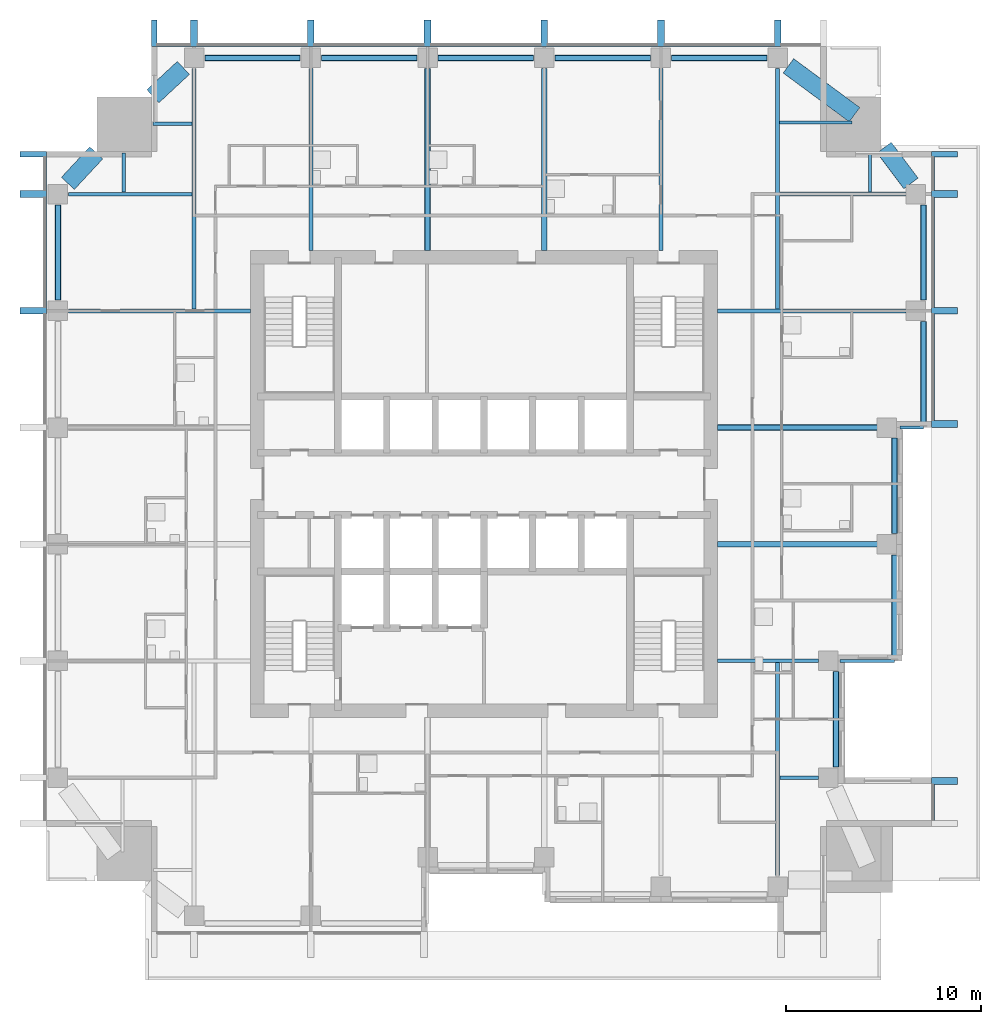
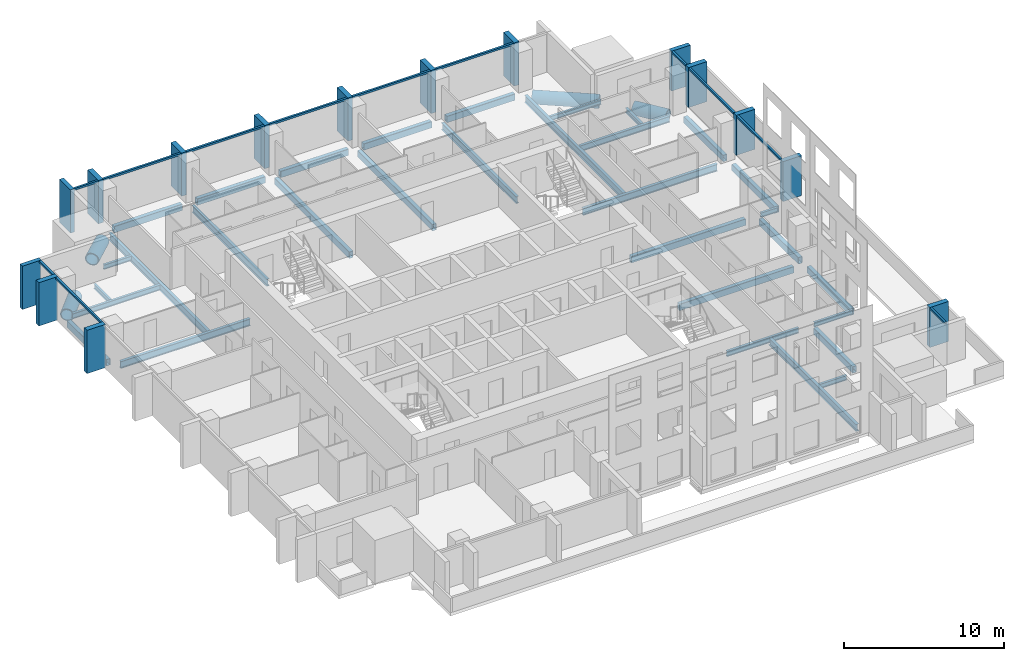
# One storey, part 2 of 14: 36 beams, 27 members, 4 elements without a shape of their own.
"""IFC4 building model written with IfcOpenShell, lengths in metres."""

from ifc_helpers import new_model, si_unit, direction, frame, origin, origin_2d, place, context, subcontext, project, spatial, rectangle, hollow_rectangle, hollow_circle, i_section, extrude, material, material_profile, profile_set, type_object, element, aggregate, save


model = new_model("IFC4")

# Units and contexts
model_context = context("Model", 3, precision=1e-05, world=origin(), true_north=direction((0.0, 1.0)))
body_context = subcontext(model_context, "Body", "Model", "MODEL_VIEW")
ifc_project = project(units=[si_unit("LENGTHUNIT", "METRE"), si_unit("AREAUNIT", "SQUARE_METRE"), si_unit("VOLUMEUNIT", "CUBIC_METRE"), si_unit("PLANEANGLEUNIT", "RADIAN"), si_unit("MASSUNIT", "GRAM", prefix="KILO")], contexts=[model_context])

# Site, building, storey
site_placement = place(None, origin())
site = spatial("IfcSite", under=ifc_project, at=site_placement, CompositionType="ELEMENT")
building_placement = place(site_placement, origin())
building = spatial("IfcBuilding", under=site, at=building_placement, Name="Amberfall Residences", CompositionType="ELEMENT")
storey_placement = place(building_placement, frame((0.0, 0.0, 133.89990234375)))
storey = spatial("IfcBuildingStorey", under=building, at=storey_placement, Name="L35", CompositionType="ELEMENT", Elevation=133.89990234375)

# Beams
ifc_material_1 = material(Name="Steel S355", Category="steel")
ifc_material_profile_1 = material_profile(ifc_material_1, hollow_circle(Radius=0.457275390625, WallThickness=0.06005859375, at=origin_2d()), Name="CHS 914.4x60")
ifc_profile_set_1 = profile_set([ifc_material_profile_1], Name="Steel S355")
beam_type_1 = type_object("IfcBeamType", Name="Belt truss chord BT CHS 914.4x60", PredefinedType="BEAM", material=ifc_profile_set_1)
beam_1_placement = place(storey_placement, frame((93.5498046875, 64.482666015625, -0.70703125), z_axis=(-0.804372963278, 0.594124680474, 0.0), x_axis=(-0.594124680474, -0.804372963278, 0.0)))
element("IfcBeam", 1, at=beam_1_placement, inside=storey, type_object=beam_type_1, Name="Belt truss chord BT BT2 L35 53", PredefinedType="BEAM", context=body_context, shape_type="SweptSolid", body=[
    extrude(hollow_circle(Radius=0.457275390625, WallThickness=0.06005859375, at=origin_2d()), origin(), (0.0, 0.0, 1.0), 4.226806640625),
])
beam_2_placement = place(storey_placement, frame((95.07275390625, 62.7880859375, -0.70703125), z_axis=(0.600017000523, -0.799987249325, 0.0), x_axis=(0.799987249325, 0.600017000523, 0.0)))
element("IfcBeam", 2, at=beam_2_placement, inside=storey, type_object=beam_type_1, Name="Belt truss chord BT BT2 L35 54", PredefinedType="BEAM", context=body_context, shape_type="SweptSolid", body=[
    extrude(hollow_circle(Radius=0.457275390625, WallThickness=0.06005859375, at=origin_2d()), origin(), (0.0, 0.0, 1.0), 2.297607421875),
])
for number, where, z_axis, x_axis, name in (
    (3, (57.481201171875, 65.430908203125, -0.70703125), (0.732509229783, 0.680757099326, 0.0), (-0.680757099326, 0.732509229783, 0.0), "Belt truss chord BT BT2 L35 55"),
    (4, (54.569091796875, 62.518798828125, -0.70703125), (-0.680757099326, -0.732509229783, 0.0), (0.732509229783, -0.680757099326, 0.0), "Belt truss chord BT BT2 L35 56"),
):
    element("IfcBeam", number, at=place(storey_placement, frame(where, z_axis=z_axis, x_axis=x_axis)), inside=storey, type_object=beam_type_1, Name=name, PredefinedType="BEAM", context=body_context, shape_type="SweptSolid", body=[
        extrude(hollow_circle(Radius=0.457275390625, WallThickness=0.06005859375, at=origin_2d()), origin(), (0.0, 0.0, 1.0), 2.141845703125),
    ])
ifc_material_profile_2 = material_profile(ifc_material_1, hollow_rectangle(XDim=0.300048828125, YDim=0.5, WallThickness=0.01611328125, InnerFilletRadius=0.01611328125, OuterFilletRadius=0.02392578125, at=origin_2d()), Name="RHS 500x300x16")
ifc_profile_set_2 = profile_set([ifc_material_profile_2], Name="Steel S355")
beam_type_2 = type_object("IfcBeamType", Name="Belt truss chord BT RHS 500x300x16", PredefinedType="BEAM", material=ifc_profile_set_2)
beam_3_placement = place(storey_placement, frame((92.60009765625, 30.949951171875, -0.5), z_axis=(0.0, 1.0, 0.0), x_axis=(-1.0, 0.0, 0.0)))
element("IfcBeam", 5, at=beam_3_placement, inside=storey, type_object=beam_type_2, Name="Belt truss chord BT BT1 L35 14", PredefinedType="BEAM", context=body_context, shape_type="SweptSolid", body=[
    extrude(hollow_rectangle(XDim=0.300048828125, YDim=0.5, WallThickness=0.01611328125, InnerFilletRadius=0.01611328125, OuterFilletRadius=0.02392578125, at=origin_2d()), origin(), (0.0, 0.0, 1.0), 4.900146484375),
])
beam_4_placement = place(storey_placement, frame((95.60009765625, 36.47998046875, -0.5), z_axis=(0.0, 1.0, 0.0), x_axis=(-1.0, 0.0, 0.0)))
element("IfcBeam", 6, at=beam_4_placement, inside=storey, type_object=beam_type_2, Name="Belt truss chord BT BT1 L35 15", PredefinedType="BEAM", context=body_context, shape_type="SweptSolid", body=[
    extrude(hollow_rectangle(XDim=0.300048828125, YDim=0.5, WallThickness=0.01611328125, InnerFilletRadius=0.01611328125, OuterFilletRadius=0.02392578125, at=origin_2d()), origin(), (0.0, 0.0, 1.0), 5.3701171875),
])
beam_5_placement = place(storey_placement, frame((95.60009765625, 42.949951171875, -0.5), z_axis=(0.0, 1.0, 0.0), x_axis=(-1.0, 0.0, 0.0)))
element("IfcBeam", 7, at=beam_5_placement, inside=storey, type_object=beam_type_2, Name="Belt truss chord BT BT1 L35 16", PredefinedType="BEAM", context=body_context, shape_type="SweptSolid", body=[
    extrude(hollow_rectangle(XDim=0.300048828125, YDim=0.5, WallThickness=0.01611328125, InnerFilletRadius=0.01611328125, OuterFilletRadius=0.02392578125, at=origin_2d()), origin(), (0.0, 0.0, 1.0), 4.900146484375),
])
beam_6_placement = place(storey_placement, frame((97.10009765625, 48.47998046875, -0.5), z_axis=(0.0, 1.0, 0.0), x_axis=(-1.0, 0.0, 0.0)))
element("IfcBeam", 8, at=beam_6_placement, inside=storey, type_object=beam_type_2, Name="Belt truss chord BT BT1 L35 17", PredefinedType="BEAM", context=body_context, shape_type="SweptSolid", body=[
    extrude(hollow_rectangle(XDim=0.300048828125, YDim=0.5, WallThickness=0.01611328125, InnerFilletRadius=0.01611328125, OuterFilletRadius=0.02392578125, at=origin_2d()), origin(), (0.0, 0.0, 1.0), 5.3701171875),
])
for number, where, z_axis, x_axis, name in (
    (9, (97.10009765625, 54.949951171875, -0.5), (0.0, 1.0, 0.0), (-1.0, 0.0, 0.0), "Belt truss chord BT BT1 L35 18"),
    (10, (60.14990234375, 67.39990234375, -0.5), (1.0, 0.0, 0.0), (0.0, 1.0, 0.0), "Belt truss chord BT BT1 L35 27"),
    (11, (66.14990234375, 67.39990234375, -0.5), (1.0, 0.0, 0.0), (0.0, 1.0, 0.0), "Belt truss chord BT BT1 L35 28"),
    (12, (72.14990234375, 67.39990234375, -0.5), (1.0, 0.0, 0.0), (0.0, 1.0, 0.0), "Belt truss chord BT BT1 L35 29"),
    (13, (78.14990234375, 67.39990234375, -0.5), (1.0, 0.0, 0.0), (0.0, 1.0, 0.0), "Belt truss chord BT BT1 L35 30"),
    (14, (84.14990234375, 67.39990234375, -0.5), (1.0, 0.0, 0.0), (0.0, 1.0, 0.0), "Belt truss chord BT BT1 L35 31"),
    (15, (52.60009765625, 54.949951171875, -0.5), (0.0, 1.0, 0.0), (-1.0, 0.0, 0.0), "Belt truss chord BT BT1 L35 42"),
):
    element("IfcBeam", number, at=place(storey_placement, frame(where, z_axis=z_axis, x_axis=x_axis)), inside=storey, type_object=beam_type_2, Name=name, PredefinedType="BEAM", context=body_context, shape_type="SweptSolid", body=[
        extrude(hollow_rectangle(XDim=0.300048828125, YDim=0.5, WallThickness=0.01611328125, InnerFilletRadius=0.01611328125, OuterFilletRadius=0.02392578125, at=origin_2d()), origin(), (0.0, 0.0, 1.0), 4.900146484375),
    ])

# Curtain wall, member
ifc_material_2 = material(Name="Bronze anodised aluminium and glass", Category="aluminium")
curtain_wall_type = type_object("IfcCurtainWallType", Name="Curtain wall CW1 tower unit", PredefinedType="USERDEFINED", material=ifc_material_2)
curtain_wall_1_placement = place(storey_placement, origin())
curtain_wall_1 = element("IfcCurtainWall", 16, at=curtain_wall_1_placement, inside=storey, type_object=curtain_wall_type, Name="Curtain wall L35 E E1", ObjectType="UNITISED CURTAIN WALL", PredefinedType="USERDEFINED")
ifc_material_3 = material(Name="Bronze anodised aluminium", Category="aluminium")
ifc_material_profile_3 = material_profile(ifc_material_3, rectangle(XDim=0.14990234375, YDim=0.14990234375, at=origin_2d()), Name="CW1 transom 150 x 150 bronze")
ifc_profile_set_3 = profile_set([ifc_material_profile_3], Name="Bronze anodised aluminium")
member_type_1 = type_object("IfcMemberType", Name="CW1 transom 150 x 150 bronze", PredefinedType="USERDEFINED", material=ifc_profile_set_3)
member_1_placement = place(storey_placement, frame((97.574951171875, 28.199951171875, 2.97509765625), z_axis=(0.0, 1.0, 0.0), x_axis=(-1.0, 0.0, 0.0)))
member_1 = element("IfcMember", 17, at=member_1_placement, type_object=member_type_1, Name="CW1 transom 1.1", ObjectType="TRANSOM", PredefinedType="USERDEFINED", context=body_context, shape_type="SweptSolid", body=[
    extrude(rectangle(XDim=0.14990234375, YDim=0.14990234375, at=origin_2d()), origin(), (0.0, 0.0, 1.0), 1.85009765625),
])

# Curtain wall, members
curtain_wall_2_placement = place(storey_placement, origin())
curtain_wall_2 = element("IfcCurtainWall", 18, at=curtain_wall_2_placement, inside=storey, type_object=curtain_wall_type, Name="Curtain wall L35 E E8", ObjectType="UNITISED CURTAIN WALL", PredefinedType="USERDEFINED")
member_2_placement = place(storey_placement, frame((97.574951171875, 48.75, 2.97509765625), z_axis=(0.0, 1.0, 0.0), x_axis=(-1.0, 0.0, 0.0)))
member_2 = element("IfcMember", 19, at=member_2_placement, type_object=member_type_1, Name="CW1 transom 1.1", ObjectType="TRANSOM", PredefinedType="USERDEFINED", context=body_context, shape_type="SweptSolid", body=[
    extrude(rectangle(XDim=0.14990234375, YDim=0.14990234375, at=origin_2d()), origin(), (0.0, 0.0, 1.0), 5.47509765625),
])
member_3_placement = place(storey_placement, frame((97.574951171875, 54.574951171875, 2.97509765625), z_axis=(0.0, 1.0, 0.0), x_axis=(-1.0, 0.0, 0.0)))
member_3 = element("IfcMember", 20, at=member_3_placement, type_object=member_type_1, Name="CW1 transom 2.1", ObjectType="TRANSOM", PredefinedType="USERDEFINED", context=body_context, shape_type="SweptSolid", body=[
    extrude(rectangle(XDim=0.14990234375, YDim=0.14990234375, at=origin_2d()), origin(), (0.0, 0.0, 1.0), 5.650146484375),
])
member_4_placement = place(storey_placement, frame((97.574951171875, 60.574951171875, 2.97509765625), z_axis=(0.0, 1.0, 0.0), x_axis=(-1.0, 0.0, 0.0)))
member_4 = element("IfcMember", 21, at=member_4_placement, type_object=member_type_1, Name="CW1 transom 3.1", ObjectType="TRANSOM", PredefinedType="USERDEFINED", context=body_context, shape_type="SweptSolid", body=[
    extrude(rectangle(XDim=0.14990234375, YDim=0.14990234375, at=origin_2d()), origin(), (0.0, 0.0, 1.0), 1.72509765625),
])

curtain_wall_3_placement = place(storey_placement, origin())
curtain_wall_3 = element("IfcCurtainWall", 22, at=curtain_wall_3_placement, inside=storey, type_object=curtain_wall_type, Name="Curtain wall L35 N N1", ObjectType="UNITISED CURTAIN WALL", PredefinedType="USERDEFINED")
member_5_placement = place(storey_placement, frame((89.425048828125, 68.074951171875, 2.97509765625), z_axis=(-1.0, 0.0, 0.0), x_axis=(0.0, -1.0, 0.0)))
member_5 = element("IfcMember", 23, at=member_5_placement, type_object=member_type_1, Name="CW1 transom 2.1", ObjectType="TRANSOM", PredefinedType="USERDEFINED", context=body_context, shape_type="SweptSolid", body=[
    extrude(rectangle(XDim=0.14990234375, YDim=0.14990234375, at=origin_2d()), origin(), (0.0, 0.0, 1.0), 5.650146484375),
])
member_6_placement = place(storey_placement, frame((83.425048828125, 68.074951171875, 2.97509765625), z_axis=(-1.0, 0.0, 0.0), x_axis=(0.0, -1.0, 0.0)))
member_6 = element("IfcMember", 24, at=member_6_placement, type_object=member_type_1, Name="CW1 transom 3.1", ObjectType="TRANSOM", PredefinedType="USERDEFINED", context=body_context, shape_type="SweptSolid", body=[
    extrude(rectangle(XDim=0.14990234375, YDim=0.14990234375, at=origin_2d()), origin(), (0.0, 0.0, 1.0), 5.650146484375),
])
member_7_placement = place(storey_placement, frame((77.425048828125, 68.074951171875, 2.97509765625), z_axis=(-1.0, 0.0, 0.0), x_axis=(0.0, -1.0, 0.0)))
member_7 = element("IfcMember", 25, at=member_7_placement, type_object=member_type_1, Name="CW1 transom 4.1", ObjectType="TRANSOM", PredefinedType="USERDEFINED", context=body_context, shape_type="SweptSolid", body=[
    extrude(rectangle(XDim=0.14990234375, YDim=0.14990234375, at=origin_2d()), origin(), (0.0, 0.0, 1.0), 5.650146484375),
])
member_8_placement = place(storey_placement, frame((71.425048828125, 68.074951171875, 2.97509765625), z_axis=(-1.0, 0.0, 0.0), x_axis=(0.0, -1.0, 0.0)))
member_8 = element("IfcMember", 26, at=member_8_placement, type_object=member_type_1, Name="CW1 transom 5.1", ObjectType="TRANSOM", PredefinedType="USERDEFINED", context=body_context, shape_type="SweptSolid", body=[
    extrude(rectangle(XDim=0.14990234375, YDim=0.14990234375, at=origin_2d()), origin(), (0.0, 0.0, 1.0), 5.650146484375),
])
member_9_placement = place(storey_placement, frame((65.425048828125, 68.074951171875, 2.97509765625), z_axis=(-1.0, 0.0, 0.0), x_axis=(0.0, -1.0, 0.0)))
member_9 = element("IfcMember", 27, at=member_9_placement, type_object=member_type_1, Name="CW1 transom 6.1", ObjectType="TRANSOM", PredefinedType="USERDEFINED", context=body_context, shape_type="SweptSolid", body=[
    extrude(rectangle(XDim=0.14990234375, YDim=0.14990234375, at=origin_2d()), origin(), (0.0, 0.0, 1.0), 5.650146484375),
])
member_10_placement = place(storey_placement, frame((59.425048828125, 68.074951171875, 2.97509765625), z_axis=(-1.0, 0.0, 0.0), x_axis=(0.0, -1.0, 0.0)))
member_10 = element("IfcMember", 28, at=member_10_placement, type_object=member_type_1, Name="CW1 transom 7.1", ObjectType="TRANSOM", PredefinedType="USERDEFINED", context=body_context, shape_type="SweptSolid", body=[
    extrude(rectangle(XDim=0.14990234375, YDim=0.14990234375, at=origin_2d()), origin(), (0.0, 0.0, 1.0), 1.72509765625),
])

curtain_wall_4_placement = place(storey_placement, origin())
curtain_wall_4 = element("IfcCurtainWall", 29, at=curtain_wall_4_placement, inside=storey, type_object=curtain_wall_type, Name="Curtain wall L35 W W1", ObjectType="UNITISED CURTAIN WALL", PredefinedType="USERDEFINED")
member_11_placement = place(storey_placement, frame((51.925048828125, 62.300048828125, 2.97509765625), z_axis=(0.0, -1.0, 0.0), x_axis=(1.0, 0.0, 0.0)))
member_11 = element("IfcMember", 30, at=member_11_placement, type_object=member_type_1, Name="CW1 transom 1.1", ObjectType="TRANSOM", PredefinedType="USERDEFINED", context=body_context, shape_type="SweptSolid", body=[
    extrude(rectangle(XDim=0.14990234375, YDim=0.14990234375, at=origin_2d()), origin(), (0.0, 0.0, 1.0), 1.72509765625),
])
member_12_placement = place(storey_placement, frame((51.925048828125, 60.22509765625, 2.97509765625), z_axis=(0.0, -1.0, 0.0), x_axis=(1.0, 0.0, 0.0)))
member_12 = element("IfcMember", 31, at=member_12_placement, type_object=member_type_1, Name="CW1 transom 2.1", ObjectType="TRANSOM", PredefinedType="USERDEFINED", context=body_context, shape_type="SweptSolid", body=[
    extrude(rectangle(XDim=0.14990234375, YDim=0.14990234375, at=origin_2d()), origin(), (0.0, 0.0, 1.0), 5.650146484375),
])

# Beams
ifc_material_profile_4 = material_profile(ifc_material_1, i_section(OverallWidth=0.171142578125, OverallDepth=0.351318359375, WebThickness=0.007080078125, FlangeThickness=0.009765625, FilletRadius=0.01025390625, at=origin_2d()), Name="UB 356x171x45")
ifc_profile_set_4 = profile_set([ifc_material_profile_4], Name="Steel S355")
beam_type_3 = type_object("IfcBeamType", Name="Cantilever girder UB 356x171x45", PredefinedType="BEAM", material=ifc_profile_set_4)
beam_7_placement = place(storey_placement, frame((92.8037109375, 36.39990234375, -0.425537109375), z_axis=(1.0, 0.0, 0.0), x_axis=(0.0, 1.0, 0.0)))
element("IfcBeam", 32, at=beam_7_placement, inside=storey, type_object=beam_type_3, Name="Cantilever girder B8 L35 19", PredefinedType="BEAM", context=body_context, shape_type="SweptSolid", body=[
    extrude(i_section(OverallWidth=0.171142578125, OverallDepth=0.351318359375, WebThickness=0.007080078125, FlangeThickness=0.009765625, FilletRadius=0.01025390625, at=origin_2d()), origin(), (0.0, 0.0, 1.0), 2.79638671875),
])
beam_8_placement = place(storey_placement, frame((95.879638671875, 48.39990234375, -0.425537109375), z_axis=(1.0, 0.0, 0.0), x_axis=(0.0, 1.0, 0.0)))
element("IfcBeam", 33, at=beam_8_placement, inside=storey, type_object=beam_type_3, Name="Cantilever girder B8 L35 20", PredefinedType="BEAM", context=body_context, shape_type="SweptSolid", body=[
    extrude(i_section(OverallWidth=0.171142578125, OverallDepth=0.351318359375, WebThickness=0.007080078125, FlangeThickness=0.009765625, FilletRadius=0.01025390625, at=origin_2d()), origin(), (0.0, 0.0, 1.0), 1.220458984375),
])

# Member
ifc_material_profile_5 = material_profile(ifc_material_3, rectangle(XDim=1.35009765625, YDim=0.300048828125, at=origin_2d()), Name="Corner fin 300 x 1350 bronze")
ifc_profile_set_5 = profile_set([ifc_material_profile_5], Name="Bronze anodised aluminium")
member_type_2 = type_object("IfcMemberType", Name="Corner fin 300 x 1350 bronze", PredefinedType="MULLION", material=ifc_profile_set_5)
member_13_placement = place(storey_placement, frame((98.175048828125, 62.449951171875, 0.0), z_axis=(0.0, 0.0, 1.0), x_axis=(-1.0, 0.0, 0.0)))
member_13 = element("IfcMember", 34, at=member_13_placement, type_object=member_type_2, Name="CW FIN 4", PredefinedType="MULLION", context=body_context, shape_type="SweptSolid", body=[
    extrude(rectangle(XDim=1.35009765625, YDim=0.300048828125, at=origin_2d()), origin(), (0.0, 0.0, 1.0), 3.050048828125),
])

member_14_placement = place(storey_placement, frame((57.550048828125, 68.675048828125, -0.25), z_axis=(0.0, 0.0, 1.0), x_axis=(0.0, -1.0, 0.0)))
member_14 = element("IfcMember", 35, at=member_14_placement, type_object=member_type_2, Name="CW FIN 8", PredefinedType="MULLION", context=body_context, shape_type="SweptSolid", body=[
    extrude(rectangle(XDim=1.35009765625, YDim=0.300048828125, at=origin_2d()), origin(), (0.0, 0.0, 1.0), 3.300048828125),
])

member_15_placement = place(storey_placement, frame((51.324951171875, 62.449951171875, -0.25), z_axis=(0.0, 0.0, 1.0), x_axis=(1.0, 0.0, 0.0)))
member_15 = element("IfcMember", 36, at=member_15_placement, type_object=member_type_2, Name="CW FIN 1", PredefinedType="MULLION", context=body_context, shape_type="SweptSolid", body=[
    extrude(rectangle(XDim=1.35009765625, YDim=0.300048828125, at=origin_2d()), origin(), (0.0, 0.0, 1.0), 3.300048828125),
])

ifc_material_profile_6 = material_profile(ifc_material_3, rectangle(XDim=1.35009765625, YDim=0.35009765625, at=origin_2d()), Name="Fin 350 x 1350 bronze")
ifc_profile_set_6 = profile_set([ifc_material_profile_6], Name="Bronze anodised aluminium")
member_type_3 = type_object("IfcMemberType", Name="Fin 350 x 1350 bronze", PredefinedType="MULLION", material=ifc_profile_set_6)
member_16_placement = place(storey_placement, frame((98.175048828125, 30.22509765625, 0.0), z_axis=(0.0, 0.0, 1.0), x_axis=(-1.0, 0.0, 0.0)))
member_16 = element("IfcMember", 37, at=member_16_placement, type_object=member_type_3, Name="CW FIN 2", PredefinedType="MULLION", context=body_context, shape_type="SweptSolid", body=[
    extrude(rectangle(XDim=1.35009765625, YDim=0.35009765625, at=origin_2d()), origin(), (0.0, 0.0, 1.0), 3.050048828125),
])

aggregate(curtain_wall_1, [member_16, member_1])

member_17_placement = place(storey_placement, frame((98.175048828125, 48.574951171875, 0.0), z_axis=(0.0, 0.0, 1.0), x_axis=(-1.0, 0.0, 0.0)))
member_17 = element("IfcMember", 38, at=member_17_placement, type_object=member_type_3, Name="CW FIN 1", PredefinedType="MULLION", context=body_context, shape_type="SweptSolid", body=[
    extrude(rectangle(XDim=1.35009765625, YDim=0.35009765625, at=origin_2d()), origin(), (0.0, 0.0, 1.0), 3.050048828125),
])

member_18_placement = place(storey_placement, frame((98.175048828125, 54.39990234375, 0.0), z_axis=(0.0, 0.0, 1.0), x_axis=(-1.0, 0.0, 0.0)))
member_18 = element("IfcMember", 39, at=member_18_placement, type_object=member_type_3, Name="CW FIN 2", PredefinedType="MULLION", context=body_context, shape_type="SweptSolid", body=[
    extrude(rectangle(XDim=1.35009765625, YDim=0.35009765625, at=origin_2d()), origin(), (0.0, 0.0, 1.0), 3.050048828125),
])

member_19_placement = place(storey_placement, frame((98.175048828125, 60.39990234375, 0.0), z_axis=(0.0, 0.0, 1.0), x_axis=(-1.0, 0.0, 0.0)))
member_19 = element("IfcMember", 40, at=member_19_placement, type_object=member_type_3, Name="CW FIN 3", PredefinedType="MULLION", context=body_context, shape_type="SweptSolid", body=[
    extrude(rectangle(XDim=1.35009765625, YDim=0.35009765625, at=origin_2d()), origin(), (0.0, 0.0, 1.0), 3.050048828125),
])

aggregate(curtain_wall_2, [member_17, member_18, member_19, member_13, member_2, member_3, member_4])

member_20_placement = place(storey_placement, frame((89.60009765625, 68.675048828125, -0.25), z_axis=(0.0, 0.0, 1.0), x_axis=(0.0, -1.0, 0.0)))
member_20 = element("IfcMember", 41, at=member_20_placement, type_object=member_type_3, Name="CW FIN 2", PredefinedType="MULLION", context=body_context, shape_type="SweptSolid", body=[
    extrude(rectangle(XDim=1.35009765625, YDim=0.35009765625, at=origin_2d()), origin(), (0.0, 0.0, 1.0), 3.300048828125),
])

member_21_placement = place(storey_placement, frame((83.60009765625, 68.675048828125, -0.25), z_axis=(0.0, 0.0, 1.0), x_axis=(0.0, -1.0, 0.0)))
member_21 = element("IfcMember", 42, at=member_21_placement, type_object=member_type_3, Name="CW FIN 3", PredefinedType="MULLION", context=body_context, shape_type="SweptSolid", body=[
    extrude(rectangle(XDim=1.35009765625, YDim=0.35009765625, at=origin_2d()), origin(), (0.0, 0.0, 1.0), 3.300048828125),
])

member_22_placement = place(storey_placement, frame((77.60009765625, 68.675048828125, -0.25), z_axis=(0.0, 0.0, 1.0), x_axis=(0.0, -1.0, 0.0)))
member_22 = element("IfcMember", 43, at=member_22_placement, type_object=member_type_3, Name="CW FIN 4", PredefinedType="MULLION", context=body_context, shape_type="SweptSolid", body=[
    extrude(rectangle(XDim=1.35009765625, YDim=0.35009765625, at=origin_2d()), origin(), (0.0, 0.0, 1.0), 3.300048828125),
])

member_23_placement = place(storey_placement, frame((71.60009765625, 68.675048828125, -0.25), z_axis=(0.0, 0.0, 1.0), x_axis=(0.0, -1.0, 0.0)))
member_23 = element("IfcMember", 44, at=member_23_placement, type_object=member_type_3, Name="CW FIN 5", PredefinedType="MULLION", context=body_context, shape_type="SweptSolid", body=[
    extrude(rectangle(XDim=1.35009765625, YDim=0.35009765625, at=origin_2d()), origin(), (0.0, 0.0, 1.0), 3.300048828125),
])

member_24_placement = place(storey_placement, frame((65.60009765625, 68.675048828125, -0.25), z_axis=(0.0, 0.0, 1.0), x_axis=(0.0, -1.0, 0.0)))
member_24 = element("IfcMember", 45, at=member_24_placement, type_object=member_type_3, Name="CW FIN 6", PredefinedType="MULLION", context=body_context, shape_type="SweptSolid", body=[
    extrude(rectangle(XDim=1.35009765625, YDim=0.35009765625, at=origin_2d()), origin(), (0.0, 0.0, 1.0), 3.300048828125),
])

member_25_placement = place(storey_placement, frame((59.60009765625, 68.675048828125, -0.25), z_axis=(0.0, 0.0, 1.0), x_axis=(0.0, -1.0, 0.0)))
member_25 = element("IfcMember", 46, at=member_25_placement, type_object=member_type_3, Name="CW FIN 7", PredefinedType="MULLION", context=body_context, shape_type="SweptSolid", body=[
    extrude(rectangle(XDim=1.35009765625, YDim=0.35009765625, at=origin_2d()), origin(), (0.0, 0.0, 1.0), 3.300048828125),
])

aggregate(curtain_wall_3, [member_20, member_21, member_22, member_23, member_24, member_25, member_14, member_5, member_6, member_7, member_8, member_9, member_10])

member_26_placement = place(storey_placement, frame((51.324951171875, 60.39990234375, -0.25), z_axis=(0.0, 0.0, 1.0), x_axis=(1.0, 0.0, 0.0)))
member_26 = element("IfcMember", 47, at=member_26_placement, type_object=member_type_3, Name="CW FIN 2", PredefinedType="MULLION", context=body_context, shape_type="SweptSolid", body=[
    extrude(rectangle(XDim=1.35009765625, YDim=0.35009765625, at=origin_2d()), origin(), (0.0, 0.0, 1.0), 3.300048828125),
])

member_27_placement = place(storey_placement, frame((51.324951171875, 54.39990234375, -0.25), z_axis=(0.0, 0.0, 1.0), x_axis=(1.0, 0.0, 0.0)))
member_27 = element("IfcMember", 48, at=member_27_placement, type_object=member_type_3, Name="CW FIN 3", PredefinedType="MULLION", context=body_context, shape_type="SweptSolid", body=[
    extrude(rectangle(XDim=1.35009765625, YDim=0.35009765625, at=origin_2d()), origin(), (0.0, 0.0, 1.0), 3.300048828125),
])

aggregate(curtain_wall_4, [member_15, member_26, member_27, member_11, member_12])

# Beams
ifc_material_profile_7 = material_profile(ifc_material_1, i_section(OverallWidth=0.171142578125, OverallDepth=0.351318359375, WebThickness=0.007080078125, FlangeThickness=0.009765625, FilletRadius=0.01025390625, at=origin_2d()), Name="UB 356x171x45")
ifc_profile_set_7 = profile_set([ifc_material_profile_7], Name="Steel S355")
beam_type_4 = type_object("IfcBeamType", Name="Floor girder UB 356x171x45", PredefinedType="BEAM", material=ifc_profile_set_7)
beam_9_placement = place(storey_placement, frame((91.697998046875, 30.39990234375, -0.425537109375), z_axis=(-1.0, 0.0, 0.0), x_axis=(0.0, -1.0, 0.0)))
element("IfcBeam", 49, at=beam_9_placement, inside=storey, type_object=beam_type_4, Name="Floor girder B11 L35 21", PredefinedType="BEAM", context=body_context, shape_type="SweptSolid", body=[
    extrude(i_section(OverallWidth=0.171142578125, OverallDepth=0.351318359375, WebThickness=0.007080078125, FlangeThickness=0.009765625, FilletRadius=0.01025390625, at=origin_2d()), origin(), (0.0, 0.0, 1.0), 1.97802734375),
])
ifc_material_profile_8 = material_profile(ifc_material_1, i_section(OverallWidth=0.177734375, OverallDepth=0.402587890625, WebThickness=0.0078125, FlangeThickness=0.010986328125, FilletRadius=0.01025390625, at=origin_2d()), Name="UB 406x178x54")
ifc_profile_set_8 = profile_set([ifc_material_profile_8], Name="Steel S355")
beam_type_5 = type_object("IfcBeamType", Name="Floor girder UB 406x178x54", PredefinedType="BEAM", material=ifc_profile_set_8)
beam_10_placement = place(storey_placement, frame((91.697998046875, 36.39990234375, -0.451171875), z_axis=(-1.0, 0.0, 0.0), x_axis=(0.0, -1.0, 0.0)))
element("IfcBeam", 50, at=beam_10_placement, inside=storey, type_object=beam_type_5, Name="Floor girder B4 L35 22", PredefinedType="BEAM", context=body_context, shape_type="SweptSolid", body=[
    extrude(i_section(OverallWidth=0.177734375, OverallDepth=0.402587890625, WebThickness=0.0078125, FlangeThickness=0.010986328125, FilletRadius=0.01025390625, at=origin_2d()), origin(), (0.0, 0.0, 1.0), 5.197998046875),
])
beam_11_placement = place(storey_placement, frame((53.14990234375, 60.39990234375, -0.451171875), z_axis=(1.0, 0.0, 0.0), x_axis=(0.0, 1.0, 0.0)))
element("IfcBeam", 51, at=beam_11_placement, inside=storey, type_object=beam_type_5, Name="Floor girder B4 L35 48", PredefinedType="BEAM", context=body_context, shape_type="SweptSolid", body=[
    extrude(i_section(OverallWidth=0.177734375, OverallDepth=0.402587890625, WebThickness=0.0078125, FlangeThickness=0.010986328125, FilletRadius=0.01025390625, at=origin_2d()), origin(), (0.0, 0.0, 1.0), 6.330078125),
])
ifc_material_profile_9 = material_profile(ifc_material_1, i_section(OverallWidth=0.19140625, OverallDepth=0.4599609375, WebThickness=0.010009765625, FlangeThickness=0.01611328125, FilletRadius=0.01025390625, at=origin_2d()), Name="UB 457x191x82")
ifc_profile_set_9 = profile_set([ifc_material_profile_9], Name="Steel S355")
beam_type_6 = type_object("IfcBeamType", Name="Floor girder UB 457x191x82", PredefinedType="BEAM", material=ifc_profile_set_9)
beam_12_placement = place(storey_placement, frame((96.239990234375, 60.39990234375, -0.47998046875), z_axis=(-1.0, 0.0, 0.0), x_axis=(0.0, -1.0, 0.0)))
element("IfcBeam", 52, at=beam_12_placement, inside=storey, type_object=beam_type_6, Name="Floor girder B10 L35 26", PredefinedType="BEAM", context=body_context, shape_type="SweptSolid", body=[
    extrude(i_section(OverallWidth=0.19140625, OverallDepth=0.4599609375, WebThickness=0.010009765625, FlangeThickness=0.01611328125, FilletRadius=0.01025390625, at=origin_2d()), origin(), (0.0, 0.0, 1.0), 6.52001953125),
])
ifc_material_profile_10 = material_profile(ifc_material_1, i_section(OverallWidth=0.210693359375, OverallDepth=0.53955078125, WebThickness=0.01171875, FlangeThickness=0.018798828125, FilletRadius=0.0126953125, at=origin_2d()), Name="UB 533x210x109")
ifc_profile_set_10 = profile_set([ifc_material_profile_10], Name="Steel S355")
beam_type_7 = type_object("IfcBeamType", Name="Floor girder UB 533x210x109", PredefinedType="BEAM", material=ifc_profile_set_10)
for number, where, z_axis, x_axis, name in (
    (53, (59.60009765625, 66.85009765625, -0.51953125), (0.0, -1.0, 0.0), (1.0, 0.0, 0.0), "Floor girder B2 L35 32"),
    (54, (89.60009765625, 66.85009765625, -0.51953125), (0.0, -1.0, 0.0), (1.0, 0.0, 0.0), "Floor girder B2 L35 37"),
):
    element("IfcBeam", number, at=place(storey_placement, frame(where, z_axis=z_axis, x_axis=x_axis)), inside=storey, type_object=beam_type_7, Name=name, PredefinedType="BEAM", context=body_context, shape_type="SweptSolid", body=[
        extrude(i_section(OverallWidth=0.210693359375, OverallDepth=0.53955078125, WebThickness=0.01171875, FlangeThickness=0.018798828125, FilletRadius=0.0126953125, at=origin_2d()), origin(), (0.0, 0.0, 1.0), 12.3505859375),
    ])
ifc_material_profile_11 = material_profile(ifc_material_1, i_section(OverallWidth=0.209228515625, OverallDepth=0.533203125, WebThickness=0.010009765625, FlangeThickness=0.015625, FilletRadius=0.0126953125, at=origin_2d()), Name="UB 533x210x92")
ifc_profile_set_11 = profile_set([ifc_material_profile_11], Name="Steel S355")
beam_type_8 = type_object("IfcBeamType", Name="Floor girder UB 533x210x92", PredefinedType="BEAM", material=ifc_profile_set_11)
beam_13_placement = place(storey_placement, frame((89.60009765625, 25.381591796875, -0.516357421875), z_axis=(0.0, 1.0, 0.0), x_axis=(-1.0, 0.0, 0.0)))
element("IfcBeam", 55, at=beam_13_placement, inside=storey, type_object=beam_type_8, Name="Floor girder B3 L35 13", PredefinedType="BEAM", context=body_context, shape_type="SweptSolid", body=[
    extrude(i_section(OverallWidth=0.209228515625, OverallDepth=0.533203125, WebThickness=0.010009765625, FlangeThickness=0.015625, FilletRadius=0.0126953125, at=origin_2d()), origin(), (0.0, 0.0, 1.0), 10.9345703125),
])
beam_14_placement = place(storey_placement, frame((96.197998046875, 54.39990234375, -0.516357421875), z_axis=(-1.0, 0.0, 0.0), x_axis=(0.0, -1.0, 0.0)))
element("IfcBeam", 56, at=beam_14_placement, inside=storey, type_object=beam_type_8, Name="Floor girder B3 L35 25", PredefinedType="BEAM", context=body_context, shape_type="SweptSolid", body=[
    extrude(i_section(OverallWidth=0.209228515625, OverallDepth=0.533203125, WebThickness=0.010009765625, FlangeThickness=0.015625, FilletRadius=0.0126953125, at=origin_2d()), origin(), (0.0, 0.0, 1.0), 9.697998046875),
])
for number, where, z_axis, x_axis, name in (
    (57, (65.60009765625, 66.85009765625, -0.516357421875), (0.0, -1.0, 0.0), (1.0, 0.0, 0.0), "Floor girder B3 L35 33"),
    (58, (83.60009765625, 66.85009765625, -0.516357421875), (0.0, -1.0, 0.0), (1.0, 0.0, 0.0), "Floor girder B3 L35 36"),
    (59, (53.14990234375, 54.39990234375, -0.516357421875), (1.0, 0.0, 0.0), (0.0, 1.0, 0.0), "Floor girder B3 L35 47"),
):
    element("IfcBeam", number, at=place(storey_placement, frame(where, z_axis=z_axis, x_axis=x_axis)), inside=storey, type_object=beam_type_8, Name=name, PredefinedType="BEAM", context=body_context, shape_type="SweptSolid", body=[
        extrude(i_section(OverallWidth=0.209228515625, OverallDepth=0.533203125, WebThickness=0.010009765625, FlangeThickness=0.015625, FilletRadius=0.0126953125, at=origin_2d()), origin(), (0.0, 0.0, 1.0), 9.35009765625),
    ])
ifc_material_profile_12 = material_profile(ifc_material_1, i_section(OverallWidth=0.171142578125, OverallDepth=0.351318359375, WebThickness=0.007080078125, FlangeThickness=0.009765625, FilletRadius=0.01025390625, at=origin_2d()), Name="UB 356x171x45")
ifc_profile_set_12 = profile_set([ifc_material_profile_12], Name="Steel S355")
beam_type_9 = type_object("IfcBeamType", Name="Link beam UB 356x171x45", PredefinedType="BEAM", material=ifc_profile_set_12)
beam_15_placement = place(storey_placement, frame((93.40966796875, 64.08056640625, -0.425537109375), z_axis=(-1.0, 0.0, 0.0), x_axis=(0.0, -1.0, 0.0)))
element("IfcBeam", 60, at=beam_15_placement, inside=storey, type_object=beam_type_9, Name="Link beam B7 L35 59", PredefinedType="BEAM", context=body_context, shape_type="SweptSolid", body=[
    extrude(i_section(OverallWidth=0.171142578125, OverallDepth=0.351318359375, WebThickness=0.007080078125, FlangeThickness=0.009765625, FilletRadius=0.01025390625, at=origin_2d()), origin(), (0.0, 0.0, 1.0), 3.70458984375),
])
beam_16_placement = place(storey_placement, frame((94.345458984375, 62.498779296875, -0.425537109375), z_axis=(0.0, -1.0, 0.0), x_axis=(1.0, 0.0, 0.0)))
element("IfcBeam", 61, at=beam_16_placement, inside=storey, type_object=beam_type_9, Name="Link beam B7 L35 60", PredefinedType="BEAM", context=body_context, shape_type="SweptSolid", body=[
    extrude(i_section(OverallWidth=0.171142578125, OverallDepth=0.351318359375, WebThickness=0.007080078125, FlangeThickness=0.009765625, FilletRadius=0.01025390625, at=origin_2d()), origin(), (0.0, 0.0, 1.0), 1.99365234375),
])
for number, where, z_axis, x_axis, name in (
    (62, (57.484130859375, 64.018798828125, -0.425537109375), (1.0, 0.0, 0.0), (0.0, 1.0, 0.0), "Link beam B7 L35 61"),
    (63, (55.981201171875, 62.515869140625, -0.425537109375), (0.0, -1.0, 0.0), (1.0, 0.0, 0.0), "Link beam B7 L35 62"),
):
    element("IfcBeam", number, at=place(storey_placement, frame(where, z_axis=z_axis, x_axis=x_axis)), inside=storey, type_object=beam_type_9, Name=name, PredefinedType="BEAM", context=body_context, shape_type="SweptSolid", body=[
        extrude(i_section(OverallWidth=0.171142578125, OverallDepth=0.351318359375, WebThickness=0.007080078125, FlangeThickness=0.009765625, FilletRadius=0.01025390625, at=origin_2d()), origin(), (0.0, 0.0, 1.0), 2.0107421875),
    ])
ifc_material_profile_13 = material_profile(ifc_material_1, hollow_rectangle(XDim=0.300048828125, YDim=0.5, WallThickness=0.01611328125, InnerFilletRadius=0.01611328125, OuterFilletRadius=0.02392578125, at=origin_2d()), Name="RHS 500x300x16")
ifc_profile_set_13 = profile_set([ifc_material_profile_13], Name="Steel S355")
beam_type_10 = type_object("IfcBeamType", Name="Outrigger truss chord OT RHS 500x300x16", PredefinedType="BEAM", material=ifc_profile_set_13)
for number, where, z_axis, x_axis, name in (
    (64, (94.739990234375, 42.39990234375, -0.5), (-1.0, 0.0, 0.0), (0.0, -1.0, 0.0), "Outrigger truss chord OT OT1 L35 23"),
    (65, (94.739990234375, 48.39990234375, -0.5), (-1.0, 0.0, 0.0), (0.0, -1.0, 0.0), "Outrigger truss chord OT OT1 L35 24"),
):
    element("IfcBeam", number, at=place(storey_placement, frame(where, z_axis=z_axis, x_axis=x_axis)), inside=storey, type_object=beam_type_10, Name=name, PredefinedType="BEAM", context=body_context, shape_type="SweptSolid", body=[
        extrude(hollow_rectangle(XDim=0.300048828125, YDim=0.5, WallThickness=0.01611328125, InnerFilletRadius=0.01611328125, OuterFilletRadius=0.02392578125, at=origin_2d()), origin(), (0.0, 0.0, 1.0), 8.239990234375),
    ])
for number, where, z_axis, x_axis, name in (
    (66, (71.60009765625, 66.85009765625, -0.5), (0.0, -1.0, 0.0), (1.0, 0.0, 0.0), "Outrigger truss chord OT OT1 L35 34"),
    (67, (77.60009765625, 66.85009765625, -0.5), (0.0, -1.0, 0.0), (1.0, 0.0, 0.0), "Outrigger truss chord OT OT1 L35 35"),
):
    element("IfcBeam", number, at=place(storey_placement, frame(where, z_axis=z_axis, x_axis=x_axis)), inside=storey, type_object=beam_type_10, Name=name, PredefinedType="BEAM", context=body_context, shape_type="SweptSolid", body=[
        extrude(hollow_rectangle(XDim=0.300048828125, YDim=0.5, WallThickness=0.01611328125, InnerFilletRadius=0.01611328125, OuterFilletRadius=0.02392578125, at=origin_2d()), origin(), (0.0, 0.0, 1.0), 9.35009765625),
    ])

save(model, "model.ifc")
